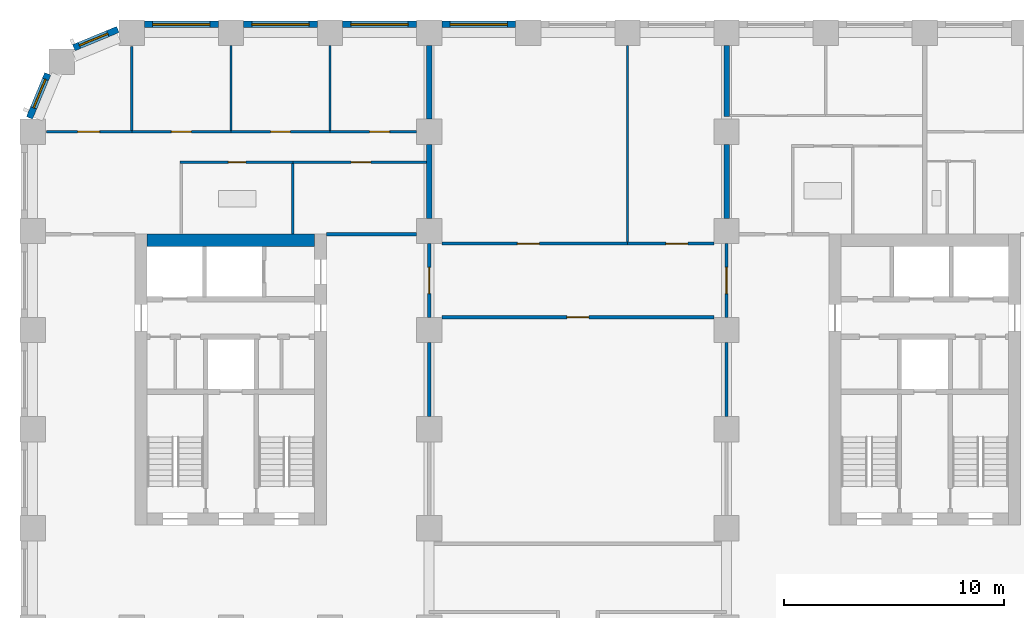
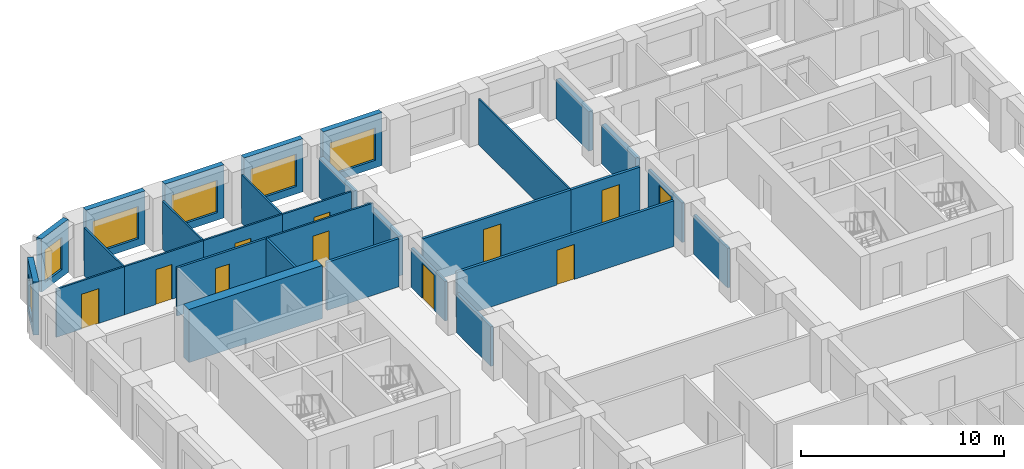
# One storey, part 7 of 12: 30 walls, 11 doors, 6 windows, 17 openings.
"""IFC4 building model written with IfcOpenShell, lengths in metres."""

import ifcopenshell
import ifcopenshell.guid

model = None  # the IFC model being written
_history = None  # IfcOwnerHistory: only IFC2X3 demands one
_inside = {}  # id of a spatial element -> (the spatial element, [elements in it])
_under = {}  # id of a project, library or spatial element -> (it, [spatial elements below it])
_declared = {}  # id of a project -> (the project, [libraries it declares])
_typed = {}  # id of a type object -> (the type object, [elements of that type])
_made_of = {}  # id of a material, layer set ... -> (it, [elements and type objects made of it])


def new_model(schema):
    """Start an empty IFC model of exactly this schema.

    Asked for "IFC4X3", IfcOpenShell would pick the latest addendum, in which some entities
    have other attributes; the version numbers below select the first issue.
    IFC2X3 requires an IfcOwnerHistory on every rooted entity: one is made here for all.
    """
    global model, _history
    if schema == "IFC4X3":
        model = ifcopenshell.file(schema_version=(4, 3, 0, 0))
    else:
        model = ifcopenshell.file(schema=schema)
    _inside.clear()
    _under.clear()
    _declared.clear()
    _typed.clear()
    _made_of.clear()
    _history = None
    if model.schema == "IFC2X3":
        org = make("IfcOrganization", Name="unknown")
        user = make(
            "IfcPersonAndOrganization",
            ThePerson=make("IfcPerson", FamilyName="unknown"),
            TheOrganization=org,
        )
        app = make(
            "IfcApplication",
            ApplicationDeveloper=org,
            Version="unknown",
            ApplicationFullName="unknown",
            ApplicationIdentifier="unknown",
        )
        _history = make(
            "IfcOwnerHistory",
            OwningUser=user,
            OwningApplication=app,
            ChangeAction="ADDED",
            CreationDate=0,
        )
    return model


def make(cls, **values):
    """One entity of the class cls with the attributes given. An attribute that is None is left unset."""
    return model.create_entity(
        cls, **{name: value for name, value in values.items() if value is not None}
    )


def rooted(cls, **values):
    """An entity with a GlobalId (a new one), such as an element, a storey or a relation."""
    return make(cls, GlobalId=ifcopenshell.guid.new(), OwnerHistory=_history, **values)


def si_unit(unit_type, name, prefix=None):
    """IfcSIUnit, for example si_unit("LENGTHUNIT", "METRE", prefix="MILLI")."""
    return make("IfcSIUnit", UnitType=unit_type, Prefix=prefix, Name=name)


def assignment(units):
    """IfcUnitAssignment: the units of a project."""
    return None if units is None else make("IfcUnitAssignment", Units=units)


def point(xyz):
    """IfcCartesianPoint."""
    return None if xyz is None else make("IfcCartesianPoint", Coordinates=xyz)


def direction(xyz):
    """IfcDirection."""
    return None if xyz is None else make("IfcDirection", DirectionRatios=xyz)


def frame(location, z_axis=None, x_axis=None):
    """IfcAxis2Placement3D, a coordinate frame: its origin and axes. An axis left out is left unset."""
    return make(
        "IfcAxis2Placement3D",
        Location=point(location),
        Axis=direction(z_axis),
        RefDirection=direction(x_axis),
    )


def frame_2d(location, x_axis=None):
    """IfcAxis2Placement2D, a coordinate frame in the plane: its origin and x axis."""
    return make(
        "IfcAxis2Placement2D", Location=point(location), RefDirection=direction(x_axis)
    )


def origin():
    """The frame at (0, 0, 0) with its axes left unset."""
    return frame((0.0, 0.0, 0.0))


def place(relative_to, where):
    """IfcLocalPlacement: puts the frame where relative to a parent placement (None: the world)."""
    return make(
        "IfcLocalPlacement", PlacementRelTo=relative_to, RelativePlacement=where
    )


def context(
    kind, dimensions, precision=None, world=None, true_north=None, identifier=None
):
    """IfcGeometricRepresentationContext, for example the 3D "Model" context."""
    return make(
        "IfcGeometricRepresentationContext",
        ContextIdentifier=identifier,
        ContextType=kind,
        CoordinateSpaceDimension=dimensions,
        Precision=precision,
        WorldCoordinateSystem=world,
        TrueNorth=true_north,
    )


def subcontext(parent, identifier, kind, view, scale=None):
    """IfcGeometricRepresentationSubContext, for example "Body" below "Model"."""
    return make(
        "IfcGeometricRepresentationSubContext",
        ContextIdentifier=identifier,
        ContextType=kind,
        ParentContext=parent,
        TargetScale=scale,
        TargetView=view,
    )


def project(units=None, contexts=None):
    """IfcProject with its units and contexts."""
    return rooted(
        "IfcProject",
        Name="project",
        RepresentationContexts=contexts,
        UnitsInContext=assignment(units),
    )


def spatial(cls, under=None, at=None, **own):
    """A site, building, storey or space (cls), placed at a placement, below another one or the project."""
    s = rooted(cls, ObjectPlacement=at, **own)
    if under is not None:
        _under.setdefault(under.id(), (under, []))[1].append(s)
    return s


def profile(cls, at=None, kind="AREA", **sizes):
    """A parametric profile (cls). Its sizes go by their IFC names, for example OverallWidth=200.0."""
    return make(cls, ProfileType=kind, Position=at, **sizes)


def rectangle(**sizes):
    """IfcRectangleProfileDef."""
    return profile("IfcRectangleProfileDef", **sizes)


def extrude(swept, where, along, depth):
    """IfcExtrudedAreaSolid: the profile swept, set in the frame where, extruded along a direction by depth."""
    return make(
        "IfcExtrudedAreaSolid",
        SweptArea=swept,
        Position=where,
        ExtrudedDirection=direction(along),
        Depth=depth,
    )


def shape(context_of_items, identifier, shape_type, items):
    """IfcShapeRepresentation: the items that make up one representation, for example the "Body"."""
    return make(
        "IfcShapeRepresentation",
        ContextOfItems=context_of_items,
        RepresentationIdentifier=identifier,
        RepresentationType=shape_type,
        Items=items,
    )


def material(Name=None, Category=None):
    """IfcMaterial."""
    return make("IfcMaterial", Name=Name, Category=Category)


def layer(
    of_material, thickness, ventilated=None, Name=None, Category=None, Priority=None
):
    """IfcMaterialLayer: one layer of a wall or slab, of a material (None: an air gap)."""
    return make(
        "IfcMaterialLayer",
        Material=of_material,
        LayerThickness=thickness,
        IsVentilated=ventilated,
        Name=Name,
        Category=Category,
        Priority=Priority,
    )


def layer_set(layers, Name=None):
    """IfcMaterialLayerSet."""
    return make("IfcMaterialLayerSet", MaterialLayers=layers, LayerSetName=Name)


def made_of(thing, what):
    """Note that an element or type object is made of a material, layer set ...; save() writes the relation."""
    if what is not None:
        _made_of.setdefault(what.id(), (what, []))[1].append(thing)
    return thing


def type_object(cls, material=None, **own):
    """A type object (cls), such as IfcWallType, which elements share."""
    return made_of(rooted(cls, **own), material)


def element(
    cls,
    number,
    at=None,
    inside=None,
    cuts=None,
    type_object=None,
    material=None,
    context=None,
    identifier="Body",
    shape_type=None,
    held_by="IfcProductDefinitionShape",
    body=None,
    shapes=None,
    **own,
):
    """One element of the class cls, such as IfcWall. Its Tag is "e" and its number.

    at: its placement. inside: the storey or other place that contains it. cuts: it is an
    opening in that element (IfcRelVoidsElement). A single representation is given by context,
    identifier, shape_type and body (its items); several are given by shapes. held_by: the class
    of the entity that holds the representations. save() writes the other relations.
    """
    e = rooted(cls, Tag="e%d" % number, ObjectPlacement=at, **own)
    if body is not None:
        shapes = [shape(context, identifier, shape_type, body)]
    if shapes is not None:
        e.Representation = make(held_by, Representations=shapes)
    if inside is not None:
        _inside.setdefault(inside.id(), (inside, []))[1].append(e)
    if cuts is not None:
        rooted(
            "IfcRelVoidsElement", RelatingBuildingElement=cuts, RelatedOpeningElement=e
        )
    if type_object is not None:
        _typed.setdefault(type_object.id(), (type_object, []))[1].append(e)
    return made_of(e, material)


def fill(opening, filler):
    """IfcRelFillsElement: the door or window that sits in an opening."""
    return rooted(
        "IfcRelFillsElement",
        RelatingOpeningElement=opening,
        RelatedBuildingElement=filler,
    )


def aggregate(whole, parts):
    """IfcRelAggregates: a whole, such as a stair, and the parts it consists of."""
    return rooted("IfcRelAggregates", RelatingObject=whole, RelatedObjects=parts)


def save(model, path):
    """Write the relations noted so far, then the file.

    IfcRelAggregates (storeys below a building ...), IfcRelContainedInSpatialStructure (elements
    in a storey), IfcRelDefinesByType, IfcRelAssociatesMaterial and IfcRelDeclares: one each for
    every whole, place, type object, material and project.
    """
    for whole, parts in _under.values():
        aggregate(whole, parts)
    for where, things in _inside.values():
        rooted(
            "IfcRelContainedInSpatialStructure",
            RelatedElements=things,
            RelatingStructure=where,
        )
    for kind, things in _typed.values():
        rooted("IfcRelDefinesByType", RelatedObjects=things, RelatingType=kind)
    for what, things in _made_of.values():
        rooted("IfcRelAssociatesMaterial", RelatedObjects=things, RelatingMaterial=what)
    for by, libraries in _declared.values():
        rooted("IfcRelDeclares", RelatingContext=by, RelatedDefinitions=libraries)
    model.write(path)


model = new_model("IFC4")

# Units and contexts
model_context = context("Model", 3, precision=1e-05, world=origin(), true_north=direction((0.0, 1.0)))
body_context = subcontext(model_context, "Body", "Model", "MODEL_VIEW")
ifc_project = project(units=[si_unit("LENGTHUNIT", "METRE"), si_unit("AREAUNIT", "SQUARE_METRE"), si_unit("VOLUMEUNIT", "CUBIC_METRE"), si_unit("PLANEANGLEUNIT", "RADIAN"), si_unit("MASSUNIT", "GRAM", prefix="KILO")], contexts=[model_context])

# Site, building, storey
site_placement = place(None, origin())
site = spatial("IfcSite", under=ifc_project, at=site_placement, CompositionType="ELEMENT")
building_placement = place(site_placement, origin())
building = spatial("IfcBuilding", under=site, at=building_placement, Name="Girih Gate Residences", CompositionType="ELEMENT")
storey_placement = place(building_placement, frame((0.0, 0.0, 108.800048828125)))
storey = spatial("IfcBuildingStorey", under=building, at=storey_placement, Name="L30", CompositionType="ELEMENT", Elevation=108.800048828125)

# Walls
ifc_material_1 = material(Name="Gypsum board on steel studs", Category="steel")
ifc_layer_1 = layer(ifc_material_1, 0.25)
ifc_layer_set_1 = layer_set([ifc_layer_1], Name="Acoustic separating wall 250 mm")
wall_type_1 = type_object("IfcWallType", Name="Acoustic separating wall 250 mm", PredefinedType="PARTITIONING", material=ifc_layer_set_1)
for number, where, z_axis, x_axis, name in (
    (1, (18.0, 45.574951171875, 0.0), (0.0, 0.0, 1.0), (0.0, 1.0, 0.0), "L30 partition"),
    (2, (18.0, 41.074951171875, 0.0), (0.0, 0.0, 1.0), (0.0, 1.0, 0.0), "L30 partition"),
    (3, (31.5, 41.074951171875, 0.0), (0.0, 0.0, 1.0), (0.0, 1.0, 0.0), "L30 partition"),
):
    element("IfcWall", number, at=place(storey_placement, frame(where, z_axis=z_axis, x_axis=x_axis)), inside=storey, type_object=wall_type_1, Name=name, PredefinedType="PARTITIONING", context=body_context, shape_type="SweptSolid", body=[
        extrude(rectangle(XDim=3.35009765625, YDim=0.25, at=frame_2d((1.675048828125, 0.0))), origin(), (0.0, 0.0, 1.0), 2.3798828125),
    ])
wall_1_placement = place(storey_placement, frame((31.5, 45.68505859375, 0.0), z_axis=(0.0, 0.0, 1.0), x_axis=(0.0, 1.0, 0.0)))
element("IfcWall", 4, at=wall_1_placement, inside=storey, type_object=wall_type_1, Name="L30 partition", PredefinedType="PARTITIONING", context=body_context, shape_type="SweptSolid", body=[
    extrude(rectangle(XDim=3.239990234375, YDim=0.25, at=frame_2d((1.6201171875, 0.0))), origin(), (0.0, 0.0, 1.0), 2.3798828125),
])
ifc_layer_2 = layer(ifc_material_1, 0.14990234375)
ifc_layer_set_2 = layer_set([ifc_layer_2], Name="Compartment wall 150 mm")
wall_type_2 = type_object("IfcWallType", Name="Compartment wall 150 mm", PredefinedType="PARTITIONING", material=ifc_layer_set_2)
wall_2_placement = place(storey_placement, frame((13.35009765625, 40.35009765625, 0.0), z_axis=(0.0, 0.0, 1.0), x_axis=(1.0, 0.0, 0.0)))
element("IfcWall", 5, at=wall_2_placement, inside=storey, type_object=wall_type_2, Name="L30 partition", PredefinedType="PARTITIONING", context=body_context, shape_type="SweptSolid", body=[
    extrude(rectangle(XDim=4.074951171875, YDim=0.14990234375, at=frame_2d((2.03759765625, 0.0))), origin(), (0.0, 0.0, 1.0), 2.89990234375),
])

# Wall, opening, door
wall_3_placement = place(storey_placement, frame((18.574951171875, 39.925048828125, 0.0), z_axis=(0.0, 0.0, 1.0), x_axis=(1.0, 0.0, 0.0)))
wall_3 = element("IfcWall", 6, at=wall_3_placement, inside=storey, type_object=wall_type_2, Name="L30 partition", PredefinedType="PARTITIONING", context=body_context, shape_type="SweptSolid", body=[
    extrude(rectangle(XDim=8.425048828125, YDim=0.14990234375, at=frame_2d((4.21240234375, 0.0))), origin(), (0.0, 0.0, 1.0), 2.75),
])
opening_1_placement = place(wall_3_placement, frame((3.425048828125, 0.0, 0.0)))
opening_1 = element("IfcOpeningElement", 7, at=opening_1_placement, cuts=wall_3, Name="Opening A30-039", PredefinedType="OPENING", context=body_context, shape_type="SweptSolid", body=[
    extrude(rectangle(XDim=1.0, YDim=2.10009765625, at=frame_2d((0.5, 1.050048828125))), frame((0.0, 0.0849609375, 0.0), z_axis=(0.0, -1.0, 0.0), x_axis=(1.0, 0.0, 0.0)), (0.0, 0.0, 1.0), 0.169921875),
])
ifc_material_2 = material(Name="Timber, fire-rated core", Category="wood")
door_type_1 = type_object("IfcDoorType", Name="Amenity room door 1000x2100 FD30S", OperationType="NOTDEFINED", PredefinedType="DOOR", material=ifc_material_2)
door_1_placement = place(opening_1_placement, origin())
door_1 = element("IfcDoor", 8, at=door_1_placement, inside=storey, type_object=door_type_1, Name="Door A30-039", OperationType="SINGLE_SWING_LEFT", OverallHeight=2.10009765625, OverallWidth=1.0, PredefinedType="DOOR", context=body_context, shape_type="SweptSolid", body=[
    extrude(rectangle(XDim=1.0, YDim=2.10009765625, at=frame_2d((0.5, 1.050048828125))), frame((0.0, 0.02490234375, 0.0), z_axis=(0.0, -1.0, 0.0), x_axis=(1.0, 0.0, 0.0)), (0.0, 0.0, 1.0), 0.050048828125),
])
fill(opening_1, door_1)

wall_4_placement = place(storey_placement, frame((27.0, 39.925048828125, 0.0), z_axis=(0.0, 0.0, 1.0), x_axis=(1.0, 0.0, 0.0)))
wall_4 = element("IfcWall", 9, at=wall_4_placement, inside=storey, type_object=wall_type_2, Name="L30 partition", PredefinedType="PARTITIONING", context=body_context, shape_type="SweptSolid", body=[
    extrude(rectangle(XDim=3.925048828125, YDim=0.14990234375, at=frame_2d((1.96240234375, 0.0))), origin(), (0.0, 0.0, 1.0), 2.75),
])
opening_2_placement = place(wall_4_placement, frame((1.75, 0.0, 0.0)))
opening_2 = element("IfcOpeningElement", 10, at=opening_2_placement, cuts=wall_4, Name="Opening A30-040", PredefinedType="OPENING", context=body_context, shape_type="SweptSolid", body=[
    extrude(rectangle(XDim=1.0, YDim=2.10009765625, at=frame_2d((0.5, 1.050048828125))), frame((0.0, 0.0849609375, 0.0), z_axis=(0.0, -1.0, 0.0), x_axis=(1.0, 0.0, 0.0)), (0.0, 0.0, 1.0), 0.169921875),
])
door_2_placement = place(opening_2_placement, origin())
door_2 = element("IfcDoor", 11, at=door_2_placement, inside=storey, type_object=door_type_1, Name="Door A30-040", OperationType="SINGLE_SWING_RIGHT", OverallHeight=2.10009765625, OverallWidth=1.0, PredefinedType="DOOR", context=body_context, shape_type="SweptSolid", body=[
    extrude(rectangle(XDim=1.0, YDim=2.10009765625, at=frame_2d((0.5, 1.050048828125))), frame((0.0, 0.02490234375, 0.0), z_axis=(0.0, -1.0, 0.0), x_axis=(1.0, 0.0, 0.0)), (0.0, 0.0, 1.0), 0.050048828125),
])
fill(opening_2, door_2)

wall_5_placement = place(storey_placement, frame((30.925048828125, 36.574951171875, 0.0), z_axis=(0.0, 0.0, 1.0), x_axis=(-1.0, 0.0, 0.0)))
wall_5 = element("IfcWall", 12, at=wall_5_placement, inside=storey, type_object=wall_type_2, Name="L30 partition", PredefinedType="PARTITIONING", context=body_context, shape_type="SweptSolid", body=[
    extrude(rectangle(XDim=12.35009765625, YDim=0.14990234375, at=frame_2d((6.175048828125, 0.0))), origin(), (0.0, 0.0, 1.0), 2.75),
])
opening_3_placement = place(wall_5_placement, frame((5.675048828125, 0.0, 0.0)))
opening_3 = element("IfcOpeningElement", 13, at=opening_3_placement, cuts=wall_5, Name="Opening A30-041", PredefinedType="OPENING", context=body_context, shape_type="SweptSolid", body=[
    extrude(rectangle(XDim=1.0, YDim=2.10009765625, at=frame_2d((0.5, 1.050048828125))), frame((0.0, 0.0849609375, 0.0), z_axis=(0.0, -1.0, 0.0), x_axis=(1.0, 0.0, 0.0)), (0.0, 0.0, 1.0), 0.169921875),
])
door_3_placement = place(opening_3_placement, origin())
door_3 = element("IfcDoor", 14, at=door_3_placement, inside=storey, type_object=door_type_1, Name="Door A30-041", OperationType="SINGLE_SWING_RIGHT", OverallHeight=2.10009765625, OverallWidth=1.0, PredefinedType="DOOR", context=body_context, shape_type="SweptSolid", body=[
    extrude(rectangle(XDim=1.0, YDim=2.10009765625, at=frame_2d((0.5, 1.050048828125))), frame((0.0, 0.02490234375, 0.0), z_axis=(0.0, -1.0, 0.0), x_axis=(1.0, 0.0, 0.0)), (0.0, 0.0, 1.0), 0.050048828125),
])
fill(opening_3, door_3)

wall_6_placement = place(storey_placement, frame((31.5, 36.574951171875, 0.0), z_axis=(0.0, 0.0, 1.0), x_axis=(0.0, 1.0, 0.0)))
wall_6 = element("IfcWall", 15, at=wall_6_placement, inside=storey, type_object=wall_type_2, Name="L30 partition", PredefinedType="PARTITIONING", context=body_context, shape_type="SweptSolid", body=[
    extrude(rectangle(XDim=3.35009765625, YDim=0.14990234375, at=frame_2d((1.675048828125, 0.0))), origin(), (0.0, 0.0, 1.0), 2.3798828125),
])
opening_4_placement = place(wall_6_placement, frame((1.074951171875, 0.0, 0.0)))
opening_4 = element("IfcOpeningElement", 16, at=opening_4_placement, cuts=wall_6, Name="Opening A30-042", PredefinedType="OPENING", context=body_context, shape_type="SweptSolid", body=[
    extrude(rectangle(XDim=1.199951171875, YDim=2.10009765625, at=frame_2d((0.60009765625, 1.050048828125))), frame((0.0, 0.0849609375, 0.0), z_axis=(0.0, -1.0, 0.0), x_axis=(1.0, 0.0, 0.0)), (0.0, 0.0, 1.0), 0.169921875),
])
door_type_2 = type_object("IfcDoorType", Name="Corridor fire door 1200x2100 FD30S", OperationType="NOTDEFINED", PredefinedType="DOOR", material=ifc_material_2)
door_4_placement = place(opening_4_placement, origin())
door_4 = element("IfcDoor", 17, at=door_4_placement, inside=storey, type_object=door_type_2, Name="Door A30-042", OperationType="SINGLE_SWING_LEFT", OverallHeight=2.10009765625, OverallWidth=1.199951171875, PredefinedType="DOOR", context=body_context, shape_type="SweptSolid", body=[
    extrude(rectangle(XDim=1.199951171875, YDim=2.10009765625, at=frame_2d((0.60009765625, 1.050048828125))), frame((0.0, 0.02490234375, 0.0), z_axis=(0.0, -1.0, 0.0), x_axis=(1.0, 0.0, 0.0)), (0.0, 0.0, 1.0), 0.050048828125),
])
fill(opening_4, door_4)

wall_7_placement = place(storey_placement, frame((18.0, 39.925048828125, 0.0), z_axis=(0.0, 0.0, 1.0), x_axis=(0.0, -1.0, 0.0)))
wall_7 = element("IfcWall", 18, at=wall_7_placement, inside=storey, type_object=wall_type_2, Name="L30 partition", PredefinedType="PARTITIONING", context=body_context, shape_type="SweptSolid", body=[
    extrude(rectangle(XDim=3.35009765625, YDim=0.14990234375, at=frame_2d((1.675048828125, 0.0))), origin(), (0.0, 0.0, 1.0), 2.3798828125),
])
opening_5_placement = place(wall_7_placement, frame((1.074951171875, 0.0, 0.0)))
opening_5 = element("IfcOpeningElement", 19, at=opening_5_placement, cuts=wall_7, Name="Opening A30-043", PredefinedType="OPENING", context=body_context, shape_type="SweptSolid", body=[
    extrude(rectangle(XDim=1.199951171875, YDim=2.10009765625, at=frame_2d((0.60009765625, 1.050048828125))), frame((0.0, 0.0849609375, 0.0), z_axis=(0.0, -1.0, 0.0), x_axis=(1.0, 0.0, 0.0)), (0.0, 0.0, 1.0), 0.169921875),
])
door_5_placement = place(opening_5_placement, origin())
door_5 = element("IfcDoor", 20, at=door_5_placement, inside=storey, type_object=door_type_2, Name="Door A30-043", OperationType="SINGLE_SWING_LEFT", OverallHeight=2.10009765625, OverallWidth=1.199951171875, PredefinedType="DOOR", context=body_context, shape_type="SweptSolid", body=[
    extrude(rectangle(XDim=1.199951171875, YDim=2.10009765625, at=frame_2d((0.60009765625, 1.050048828125))), frame((0.0, 0.02490234375, 0.0), z_axis=(0.0, -1.0, 0.0), x_axis=(1.0, 0.0, 0.0)), (0.0, 0.0, 1.0), 0.050048828125),
])
fill(opening_5, door_5)

# Walls
for number, where, z_axis, x_axis, name in (
    (21, (31.5, 32.074951171875, 0.0), (0.0, 0.0, 1.0), (0.0, 1.0, 0.0), "L30 partition"),
    (22, (18.0, 32.074951171875, 0.0), (0.0, 0.0, 1.0), (0.0, 1.0, 0.0), "L30 partition"),
):
    element("IfcWall", number, at=place(storey_placement, frame(where, z_axis=z_axis, x_axis=x_axis)), inside=storey, type_object=wall_type_2, Name=name, PredefinedType="PARTITIONING", context=body_context, shape_type="SweptSolid", body=[
        extrude(rectangle(XDim=3.35009765625, YDim=0.14990234375, at=frame_2d((1.675048828125, 0.0))), origin(), (0.0, 0.0, 1.0), 2.3798828125),
    ])
ifc_material_3 = material(Name="Concrete C60/75", Category="concrete")
ifc_layer_3 = layer(ifc_material_3, 0.550048828125)
ifc_layer_set_3 = layer_set([ifc_layer_3], Name="Core wall RC 550 Concrete C60/75")
wall_type_3 = type_object("IfcWallType", Name="Core wall RC 550 Concrete C60/75", PredefinedType="SOLIDWALL", material=ifc_layer_set_3)
wall_8_placement = place(storey_placement, frame((5.199951171875, 40.074951171875, 0.0), z_axis=(0.0, 0.0, 1.0), x_axis=(1.0, 0.0, 0.0)))
element("IfcWall", 23, at=wall_8_placement, inside=storey, type_object=wall_type_3, Name="Core wall W-N L30", PredefinedType="SOLIDWALL", context=body_context, shape_type="SweptSolid", body=[
    extrude(rectangle(XDim=7.60009765625, YDim=0.550048828125, at=frame_2d((3.800048828125, 0.0))), origin(), (0.0, 0.0, 1.0), 3.199951171875),
])
ifc_layer_4 = layer(ifc_material_1, 0.10009765625)
ifc_layer_set_4 = layer_set([ifc_layer_4], Name="Partition 100 mm")
wall_type_4 = type_object("IfcWallType", Name="Partition 100 mm", PredefinedType="PARTITIONING", material=ifc_layer_set_4)
wall_9_placement = place(storey_placement, frame((9.0, 45.050048828125, 0.0), z_axis=(0.0, 0.0, 1.0), x_axis=(0.0, 1.0, 0.0)))
element("IfcWall", 24, at=wall_9_placement, inside=storey, type_object=wall_type_4, Name="L30 partition", PredefinedType="PARTITIONING", context=body_context, shape_type="SweptSolid", body=[
    extrude(rectangle(XDim=3.875, YDim=0.10009765625, at=frame_2d((1.9375, 0.0))), origin(), (0.0, 0.0, 1.0), 2.89990234375),
])

# Wall, opening, door
wall_10_placement = place(storey_placement, frame((4.5, 45.0, 0.0), z_axis=(0.0, 0.0, 1.0), x_axis=(1.0, 0.0, 0.0)))
wall_10 = element("IfcWall", 25, at=wall_10_placement, inside=storey, type_object=wall_type_4, Name="L30 partition", PredefinedType="PARTITIONING", context=body_context, shape_type="SweptSolid", body=[
    extrude(rectangle(XDim=4.5, YDim=0.10009765625, at=frame_2d((2.25, 0.0))), origin(), (0.0, 0.0, 1.0), 2.89990234375),
])
opening_6_placement = place(wall_10_placement, frame((1.800048828125, 0.0, 0.0)))
opening_6 = element("IfcOpeningElement", 26, at=opening_6_placement, cuts=wall_10, Name="Opening A30-011", PredefinedType="OPENING", context=body_context, shape_type="SweptSolid", body=[
    extrude(rectangle(XDim=0.89990234375, YDim=2.10009765625, at=frame_2d((0.449951171875, 1.050048828125))), frame((0.0, 0.06005859375, 0.0), z_axis=(0.0, -1.0, 0.0), x_axis=(1.0, 0.0, 0.0)), (0.0, 0.0, 1.0), 0.1201171875),
])
ifc_material_4 = material(Name="Timber", Category="wood")
door_type_3 = type_object("IfcDoorType", Name="Bedroom door 900x2100", OperationType="NOTDEFINED", PredefinedType="DOOR", material=ifc_material_4)
door_6_placement = place(opening_6_placement, origin())
door_6 = element("IfcDoor", 27, at=door_6_placement, inside=storey, type_object=door_type_3, Name="Door A30-011", OperationType="SINGLE_SWING_RIGHT", OverallHeight=2.10009765625, OverallWidth=0.89990234375, PredefinedType="DOOR", context=body_context, shape_type="SweptSolid", body=[
    extrude(rectangle(XDim=0.89990234375, YDim=2.10009765625, at=frame_2d((0.449951171875, 1.050048828125))), frame((0.0, 0.02490234375, 0.0), z_axis=(0.0, -1.0, 0.0), x_axis=(1.0, 0.0, 0.0)), (0.0, 0.0, 1.0), 0.050048828125),
])
fill(opening_6, door_6)

# Walls
wall_11_placement = place(storey_placement, frame((4.5, 45.050048828125, 0.0), z_axis=(0.0, 0.0, 1.0), x_axis=(0.0, 1.0, 0.0)))
element("IfcWall", 28, at=wall_11_placement, inside=storey, type_object=wall_type_4, Name="L30 partition", PredefinedType="PARTITIONING", context=body_context, shape_type="SweptSolid", body=[
    extrude(rectangle(XDim=3.82763671875, YDim=0.10009765625, at=frame_2d((1.913818359375, 0.0))), origin(), (0.0, 0.0, 1.0), 2.89990234375),
])
wall_12_placement = place(storey_placement, frame((13.5, 45.050048828125, 0.0), z_axis=(0.0, 0.0, 1.0), x_axis=(0.0, 1.0, 0.0)))
element("IfcWall", 29, at=wall_12_placement, inside=storey, type_object=wall_type_4, Name="L30 partition", PredefinedType="PARTITIONING", context=body_context, shape_type="SweptSolid", body=[
    extrude(rectangle(XDim=3.875, YDim=0.10009765625, at=frame_2d((1.9375, 0.0))), origin(), (0.0, 0.0, 1.0), 2.89990234375),
])

# Wall, opening, door
wall_13_placement = place(storey_placement, frame((9.0, 45.0, 0.0), z_axis=(0.0, 0.0, 1.0), x_axis=(1.0, 0.0, 0.0)))
wall_13 = element("IfcWall", 30, at=wall_13_placement, inside=storey, type_object=wall_type_4, Name="L30 partition", PredefinedType="PARTITIONING", context=body_context, shape_type="SweptSolid", body=[
    extrude(rectangle(XDim=4.5, YDim=0.10009765625, at=frame_2d((2.25, 0.0))), origin(), (0.0, 0.0, 1.0), 2.89990234375),
])
opening_7_placement = place(wall_13_placement, frame((1.800048828125, 0.0, 0.0)))
opening_7 = element("IfcOpeningElement", 31, at=opening_7_placement, cuts=wall_13, Name="Opening A30-012", PredefinedType="OPENING", context=body_context, shape_type="SweptSolid", body=[
    extrude(rectangle(XDim=0.89990234375, YDim=2.10009765625, at=frame_2d((0.449951171875, 1.050048828125))), frame((0.0, 0.06005859375, 0.0), z_axis=(0.0, -1.0, 0.0), x_axis=(1.0, 0.0, 0.0)), (0.0, 0.0, 1.0), 0.1201171875),
])
door_7_placement = place(opening_7_placement, origin())
door_7 = element("IfcDoor", 32, at=door_7_placement, inside=storey, type_object=door_type_3, Name="Door A30-012", OperationType="SINGLE_SWING_LEFT", OverallHeight=2.10009765625, OverallWidth=0.89990234375, PredefinedType="DOOR", context=body_context, shape_type="SweptSolid", body=[
    extrude(rectangle(XDim=0.89990234375, YDim=2.10009765625, at=frame_2d((0.449951171875, 1.050048828125))), frame((0.0, 0.02490234375, 0.0), z_axis=(0.0, -1.0, 0.0), x_axis=(1.0, 0.0, 0.0)), (0.0, 0.0, 1.0), 0.050048828125),
])
fill(opening_7, door_7)

wall_14_placement = place(storey_placement, frame((13.5, 45.0, 0.0), z_axis=(0.0, 0.0, 1.0), x_axis=(1.0, 0.0, 0.0)))
wall_14 = element("IfcWall", 33, at=wall_14_placement, inside=storey, type_object=wall_type_4, Name="L30 partition", PredefinedType="PARTITIONING", context=body_context, shape_type="SweptSolid", body=[
    extrude(rectangle(XDim=3.925048828125, YDim=0.10009765625, at=frame_2d((1.96240234375, 0.0))), origin(), (0.0, 0.0, 1.0), 2.89990234375),
])
opening_8_placement = place(wall_14_placement, frame((1.800048828125, 0.0, 0.0)))
opening_8 = element("IfcOpeningElement", 34, at=opening_8_placement, cuts=wall_14, Name="Opening A30-013", PredefinedType="OPENING", context=body_context, shape_type="SweptSolid", body=[
    extrude(rectangle(XDim=0.89990234375, YDim=2.10009765625, at=frame_2d((0.449951171875, 1.050048828125))), frame((0.0, 0.06005859375, 0.0), z_axis=(0.0, -1.0, 0.0), x_axis=(1.0, 0.0, 0.0)), (0.0, 0.0, 1.0), 0.1201171875),
])
door_8_placement = place(opening_8_placement, origin())
door_8 = element("IfcDoor", 35, at=door_8_placement, inside=storey, type_object=door_type_3, Name="Door A30-013", OperationType="SINGLE_SWING_RIGHT", OverallHeight=2.10009765625, OverallWidth=0.89990234375, PredefinedType="DOOR", context=body_context, shape_type="SweptSolid", body=[
    extrude(rectangle(XDim=0.89990234375, YDim=2.10009765625, at=frame_2d((0.449951171875, 1.050048828125))), frame((0.0, 0.02490234375, 0.0), z_axis=(0.0, -1.0, 0.0), x_axis=(1.0, 0.0, 0.0)), (0.0, 0.0, 1.0), 0.050048828125),
])
fill(opening_8, door_8)

wall_15_placement = place(storey_placement, frame((17.875, 43.6201171875, 0.0), z_axis=(0.0, 0.0, 1.0), x_axis=(-1.0, 0.0, 0.0)))
wall_15 = element("IfcWall", 36, at=wall_15_placement, inside=storey, type_object=wall_type_4, Name="L30 partition", PredefinedType="PARTITIONING", context=body_context, shape_type="SweptSolid", body=[
    extrude(rectangle(XDim=6.064208984375, YDim=0.10009765625, at=frame_2d((3.0322265625, 0.0))), origin(), (0.0, 0.0, 1.0), 2.89990234375),
])
opening_9_placement = place(wall_15_placement, frame((2.51953125, 0.0, 0.0)))
opening_9 = element("IfcOpeningElement", 37, at=opening_9_placement, cuts=wall_15, Name="Opening A30-014", PredefinedType="OPENING", context=body_context, shape_type="SweptSolid", body=[
    extrude(rectangle(XDim=0.89990234375, YDim=2.10009765625, at=frame_2d((0.449951171875, 1.050048828125))), frame((0.0, 0.06005859375, 0.0), z_axis=(0.0, -1.0, 0.0), x_axis=(1.0, 0.0, 0.0)), (0.0, 0.0, 1.0), 0.1201171875),
])
door_type_4 = type_object("IfcDoorType", Name="Kitchen door 900x2100", OperationType="NOTDEFINED", PredefinedType="DOOR", material=ifc_material_4)
door_9_placement = place(opening_9_placement, origin())
door_9 = element("IfcDoor", 38, at=door_9_placement, inside=storey, type_object=door_type_4, Name="Door A30-014", OperationType="SINGLE_SWING_LEFT", OverallHeight=2.10009765625, OverallWidth=0.89990234375, PredefinedType="DOOR", context=body_context, shape_type="SweptSolid", body=[
    extrude(rectangle(XDim=0.89990234375, YDim=2.10009765625, at=frame_2d((0.449951171875, 1.050048828125))), frame((0.0, 0.02490234375, 0.0), z_axis=(0.0, -1.0, 0.0), x_axis=(1.0, 0.0, 0.0)), (0.0, 0.0, 1.0), 0.050048828125),
])
fill(opening_9, door_9)

wall_16_placement = place(storey_placement, frame((0.622314453125, 45.0, 0.0), z_axis=(0.0, 0.0, 1.0), x_axis=(1.0, 0.0, 0.0)))
wall_16 = element("IfcWall", 39, at=wall_16_placement, inside=storey, type_object=wall_type_4, Name="L30 partition", PredefinedType="PARTITIONING", context=body_context, shape_type="SweptSolid", body=[
    extrude(rectangle(XDim=3.877685546875, YDim=0.10009765625, at=frame_2d((1.93896484375, 0.0))), origin(), (0.0, 0.0, 1.0), 2.89990234375),
])
opening_10_placement = place(wall_16_placement, frame((1.4150390625, 0.0, 0.0)))
opening_10 = element("IfcOpeningElement", 40, at=opening_10_placement, cuts=wall_16, Name="Opening A30-015", PredefinedType="OPENING", context=body_context, shape_type="SweptSolid", body=[
    extrude(rectangle(XDim=1.0, YDim=2.10009765625, at=frame_2d((0.5, 1.050048828125))), frame((0.0, 0.06005859375, 0.0), z_axis=(0.0, -1.0, 0.0), x_axis=(1.0, 0.0, 0.0)), (0.0, 0.0, 1.0), 0.1201171875),
])
door_type_5 = type_object("IfcDoorType", Name="Living room door 1000x2100", OperationType="NOTDEFINED", PredefinedType="DOOR", material=ifc_material_4)
door_10_placement = place(opening_10_placement, origin())
door_10 = element("IfcDoor", 41, at=door_10_placement, inside=storey, type_object=door_type_5, Name="Door A30-015", OperationType="SINGLE_SWING_LEFT", OverallHeight=2.10009765625, OverallWidth=1.0, PredefinedType="DOOR", context=body_context, shape_type="SweptSolid", body=[
    extrude(rectangle(XDim=1.0, YDim=2.10009765625, at=frame_2d((0.5, 1.050048828125))), frame((0.0, 0.02490234375, 0.0), z_axis=(0.0, -1.0, 0.0), x_axis=(1.0, 0.0, 0.0)), (0.0, 0.0, 1.0), 0.050048828125),
])
fill(opening_10, door_10)

# Wall
wall_17_placement = place(storey_placement, frame((27.0, 40.0, 0.0), z_axis=(0.0, 0.0, 1.0), x_axis=(0.0, 1.0, 0.0)))
element("IfcWall", 42, at=wall_17_placement, inside=storey, type_object=wall_type_4, Name="L30 partition", PredefinedType="PARTITIONING", context=body_context, shape_type="SweptSolid", body=[
    extrude(rectangle(XDim=8.925048828125, YDim=0.10009765625, at=frame_2d((4.46240234375, 0.0))), origin(), (0.0, 0.0, 1.0), 2.75),
])

# Wall, opening, window
ifc_material_5 = material(Name="Precast concrete C50/60", Category="concrete")
ifc_layer_5 = layer(ifc_material_5, 0.080078125, Name="Outer leaf")
ifc_material_6 = material(Name="Rigid PIR insulation")
ifc_layer_6 = layer(ifc_material_6, 0.14990234375, Name="Insulation")
ifc_material_7 = material(Name="Precast concrete C40/50", Category="concrete")
ifc_layer_7 = layer(ifc_material_7, 0.070068359375, Name="Inner leaf")
ifc_layer_set_5 = layer_set([ifc_layer_5, ifc_layer_6, ifc_layer_7], Name="Precast concrete C50/60 external wall 300")
wall_type_5 = type_object("IfcWallType", Name="Precast concrete C50/60 external wall 300", PredefinedType="SOLIDWALL", material=ifc_layer_set_5)
wall_18_placement = place(storey_placement, frame((18.574951171875, 49.875, 0.0), z_axis=(0.0, 0.0, 1.0), x_axis=(1.0, 0.0, 0.0)))
wall_18 = element("IfcWall", 43, at=wall_18_placement, inside=storey, type_object=wall_type_5, Name="External wall N0450_0495.5", PredefinedType="SOLIDWALL", context=body_context, shape_type="SweptSolid", body=[
    extrude(rectangle(XDim=3.35009765625, YDim=0.300048828125, at=frame_2d((1.675048828125, 0.0))), origin(), (0.0, 0.0, 1.0), 3.199951171875),
])
opening_11_placement = place(wall_18_placement, frame((0.375, 0.0, 0.449951171875)))
opening_11 = element("IfcOpeningElement", 44, at=opening_11_placement, cuts=wall_18, Name="Opening W-1A", PredefinedType="OPENING", context=body_context, shape_type="SweptSolid", body=[
    extrude(rectangle(XDim=2.60009765625, YDim=1.949951171875, at=frame_2d((1.300048828125, 0.97509765625))), frame((0.0, 0.159912109375, 0.0), z_axis=(0.0, -1.0, 0.0), x_axis=(1.0, 0.0, 0.0)), (0.0, 0.0, 1.0), 0.320068359375),
])
ifc_material_8 = material(Name="Double glazing in aluminium frame", Category="aluminium")
window_type_1 = type_object("IfcWindowType", Name="Window W-1A 2600x1950", PartitioningType="SINGLE_PANEL", PredefinedType="WINDOW", material=ifc_material_8)
window_1_placement = place(opening_11_placement, origin())
window_1 = element("IfcWindow", 45, at=window_1_placement, inside=storey, type_object=window_type_1, Name="Window W-1A N0450_0495.5", OverallHeight=1.949951171875, OverallWidth=2.60009765625, PartitioningType="SINGLE_PANEL", PredefinedType="WINDOW", context=body_context, shape_type="SweptSolid", body=[
    extrude(rectangle(XDim=2.60009765625, YDim=1.949951171875, at=frame_2d((1.300048828125, 0.97509765625))), frame((0.0, 0.030029296875, 0.0), z_axis=(0.0, -1.0, 0.0), x_axis=(1.0, 0.0, 0.0)), (0.0, 0.0, 1.0), 0.06005859375),
])
fill(opening_11, window_1)

wall_19_placement = place(storey_placement, frame((14.074951171875, 49.875, 0.0), z_axis=(0.0, 0.0, 1.0), x_axis=(1.0, 0.0, 0.0)))
wall_19 = element("IfcWall", 46, at=wall_19_placement, inside=storey, type_object=wall_type_5, Name="External wall N0450_0495.6", PredefinedType="SOLIDWALL", context=body_context, shape_type="SweptSolid", body=[
    extrude(rectangle(XDim=3.35009765625, YDim=0.300048828125, at=frame_2d((1.675048828125, 0.0))), origin(), (0.0, 0.0, 1.0), 3.199951171875),
])
opening_12_placement = place(wall_19_placement, frame((0.375, 0.0, 0.449951171875)))
opening_12 = element("IfcOpeningElement", 47, at=opening_12_placement, cuts=wall_19, Name="Opening W-1A", PredefinedType="OPENING", context=body_context, shape_type="SweptSolid", body=[
    extrude(rectangle(XDim=2.60009765625, YDim=1.949951171875, at=frame_2d((1.300048828125, 0.97509765625))), frame((0.0, 0.159912109375, 0.0), z_axis=(0.0, -1.0, 0.0), x_axis=(1.0, 0.0, 0.0)), (0.0, 0.0, 1.0), 0.320068359375),
])
window_2_placement = place(opening_12_placement, origin())
window_2 = element("IfcWindow", 48, at=window_2_placement, inside=storey, type_object=window_type_1, Name="Window W-1A N0450_0495.6", OverallHeight=1.949951171875, OverallWidth=2.60009765625, PartitioningType="SINGLE_PANEL", PredefinedType="WINDOW", context=body_context, shape_type="SweptSolid", body=[
    extrude(rectangle(XDim=2.60009765625, YDim=1.949951171875, at=frame_2d((1.300048828125, 0.97509765625))), frame((0.0, 0.030029296875, 0.0), z_axis=(0.0, -1.0, 0.0), x_axis=(1.0, 0.0, 0.0)), (0.0, 0.0, 1.0), 0.06005859375),
])
fill(opening_12, window_2)

wall_20_placement = place(storey_placement, frame((9.574951171875, 49.875, 0.0), z_axis=(0.0, 0.0, 1.0), x_axis=(1.0, 0.0, 0.0)))
wall_20 = element("IfcWall", 49, at=wall_20_placement, inside=storey, type_object=wall_type_5, Name="External wall N0450_0495.7", PredefinedType="SOLIDWALL", context=body_context, shape_type="SweptSolid", body=[
    extrude(rectangle(XDim=3.35009765625, YDim=0.300048828125, at=frame_2d((1.675048828125, 0.0))), origin(), (0.0, 0.0, 1.0), 3.199951171875),
])
opening_13_placement = place(wall_20_placement, frame((0.375, 0.0, 0.449951171875)))
opening_13 = element("IfcOpeningElement", 50, at=opening_13_placement, cuts=wall_20, Name="Opening W-1A", PredefinedType="OPENING", context=body_context, shape_type="SweptSolid", body=[
    extrude(rectangle(XDim=2.60009765625, YDim=1.949951171875, at=frame_2d((1.300048828125, 0.97509765625))), frame((0.0, 0.159912109375, 0.0), z_axis=(0.0, -1.0, 0.0), x_axis=(1.0, 0.0, 0.0)), (0.0, 0.0, 1.0), 0.320068359375),
])
window_3_placement = place(opening_13_placement, origin())
window_3 = element("IfcWindow", 51, at=window_3_placement, inside=storey, type_object=window_type_1, Name="Window W-1A N0450_0495.7", OverallHeight=1.949951171875, OverallWidth=2.60009765625, PartitioningType="SINGLE_PANEL", PredefinedType="WINDOW", context=body_context, shape_type="SweptSolid", body=[
    extrude(rectangle(XDim=2.60009765625, YDim=1.949951171875, at=frame_2d((1.300048828125, 0.97509765625))), frame((0.0, 0.030029296875, 0.0), z_axis=(0.0, -1.0, 0.0), x_axis=(1.0, 0.0, 0.0)), (0.0, 0.0, 1.0), 0.06005859375),
])
fill(opening_13, window_3)

wall_21_placement = place(storey_placement, frame((5.074951171875, 49.875, 0.0), z_axis=(0.0, 0.0, 1.0), x_axis=(1.0, 0.0, 0.0)))
wall_21 = element("IfcWall", 52, at=wall_21_placement, inside=storey, type_object=wall_type_5, Name="External wall N0450_0495.8", PredefinedType="SOLIDWALL", context=body_context, shape_type="SweptSolid", body=[
    extrude(rectangle(XDim=3.35009765625, YDim=0.300048828125, at=frame_2d((1.675048828125, 0.0))), origin(), (0.0, 0.0, 1.0), 3.199951171875),
])
opening_14_placement = place(wall_21_placement, frame((0.375, 0.0, 0.449951171875)))
opening_14 = element("IfcOpeningElement", 53, at=opening_14_placement, cuts=wall_21, Name="Opening W-1A", PredefinedType="OPENING", context=body_context, shape_type="SweptSolid", body=[
    extrude(rectangle(XDim=2.60009765625, YDim=1.949951171875, at=frame_2d((1.300048828125, 0.97509765625))), frame((0.0, 0.159912109375, 0.0), z_axis=(0.0, -1.0, 0.0), x_axis=(1.0, 0.0, 0.0)), (0.0, 0.0, 1.0), 0.320068359375),
])
window_4_placement = place(opening_14_placement, origin())
window_4 = element("IfcWindow", 54, at=window_4_placement, inside=storey, type_object=window_type_1, Name="Window W-1A N0450_0495.8", OverallHeight=1.949951171875, OverallWidth=2.60009765625, PartitioningType="SINGLE_PANEL", PredefinedType="WINDOW", context=body_context, shape_type="SweptSolid", body=[
    extrude(rectangle(XDim=2.60009765625, YDim=1.949951171875, at=frame_2d((1.300048828125, 0.97509765625))), frame((0.0, 0.030029296875, 0.0), z_axis=(0.0, -1.0, 0.0), x_axis=(1.0, 0.0, 0.0)), (0.0, 0.0, 1.0), 0.06005859375),
])
fill(opening_14, window_4)

wall_22_placement = place(storey_placement, frame((1.86865234375, 48.81591796875, 0.0), z_axis=(0.0, 0.0, 1.0), x_axis=(0.923862802911, 0.382723818695, 0.0)))
wall_22 = element("IfcWall", 55, at=wall_22_placement, inside=storey, type_object=wall_type_5, Name="External wall NW0045_0495.0", PredefinedType="SOLIDWALL", context=body_context, shape_type="SweptSolid", body=[
    extrude(rectangle(XDim=2.163818359375, YDim=0.300048828125, at=frame_2d((1.08203125, 0.0))), origin(), (0.0, 0.0, 1.0), 3.199951171875),
])
opening_15_placement = place(wall_22_placement, frame((0.270751953125, 0.0, 0.449951171875)))
opening_15 = element("IfcOpeningElement", 56, at=opening_15_placement, cuts=wall_22, Name="Opening W-2D", PredefinedType="OPENING", context=body_context, shape_type="SweptSolid", body=[
    extrude(rectangle(XDim=1.39990234375, YDim=1.949951171875, at=frame_2d((0.699951171875, 0.97509765625))), frame((0.0, 0.159912109375, 0.0), z_axis=(0.0, -1.0, 0.0), x_axis=(1.0, 0.0, 0.0)), (0.0, 0.0, 1.0), 0.320068359375),
])
window_type_2 = type_object("IfcWindowType", Name="Window W-2D 1400x1950", PartitioningType="SINGLE_PANEL", PredefinedType="WINDOW", material=ifc_material_8)
window_5_placement = place(opening_15_placement, origin())
window_5 = element("IfcWindow", 57, at=window_5_placement, inside=storey, type_object=window_type_2, Name="Window W-2D NW0045_0495.0", OverallHeight=1.949951171875, OverallWidth=1.39990234375, PartitioningType="SINGLE_PANEL", PredefinedType="WINDOW", context=body_context, shape_type="SweptSolid", body=[
    extrude(rectangle(XDim=1.39990234375, YDim=1.949951171875, at=frame_2d((0.699951171875, 0.97509765625))), frame((0.0, 0.030029296875, 0.0), z_axis=(0.0, -1.0, 0.0), x_axis=(1.0, 0.0, 0.0)), (0.0, 0.0, 1.0), 0.06005859375),
])
fill(opening_15, window_5)

wall_23_placement = place(storey_placement, frame((-0.14404296875, 45.63232421875, 0.0), z_axis=(0.0, 0.0, 1.0), x_axis=(0.382723818695, 0.923862802911, 0.0)))
wall_23 = element("IfcWall", 58, at=wall_23_placement, inside=storey, type_object=wall_type_5, Name="External wall NW0013_0482.0", PredefinedType="SOLIDWALL", context=body_context, shape_type="SweptSolid", body=[
    extrude(rectangle(XDim=2.163818359375, YDim=0.300048828125, at=frame_2d((1.08203125, 0.0))), origin(), (0.0, 0.0, 1.0), 3.199951171875),
])
opening_16_placement = place(wall_23_placement, frame((0.492919921875, 0.0, 0.449951171875)))
opening_16 = element("IfcOpeningElement", 59, at=opening_16_placement, cuts=wall_23, Name="Opening W-2D", PredefinedType="OPENING", context=body_context, shape_type="SweptSolid", body=[
    extrude(rectangle(XDim=1.39990234375, YDim=1.949951171875, at=frame_2d((0.699951171875, 0.97509765625))), frame((0.0, 0.159912109375, 0.0), z_axis=(0.0, -1.0, 0.0), x_axis=(1.0, 0.0, 0.0)), (0.0, 0.0, 1.0), 0.320068359375),
])
window_6_placement = place(opening_16_placement, origin())
window_6 = element("IfcWindow", 60, at=window_6_placement, inside=storey, type_object=window_type_2, Name="Window W-2D NW0013_0482.0", OverallHeight=1.949951171875, OverallWidth=1.39990234375, PartitioningType="SINGLE_PANEL", PredefinedType="WINDOW", context=body_context, shape_type="SweptSolid", body=[
    extrude(rectangle(XDim=1.39990234375, YDim=1.949951171875, at=frame_2d((0.699951171875, 0.97509765625))), frame((0.0, 0.030029296875, 0.0), z_axis=(0.0, -1.0, 0.0), x_axis=(1.0, 0.0, 0.0)), (0.0, 0.0, 1.0), 0.06005859375),
])
fill(opening_16, window_6)

# Wall, opening, door
ifc_layer_8 = layer(ifc_material_1, 0.125)
ifc_layer_set_6 = layer_set([ifc_layer_8], Name="Wet room wall 125 mm")
wall_type_6 = type_object("IfcWallType", Name="Wet room wall 125 mm", PredefinedType="PARTITIONING", material=ifc_layer_set_6)
wall_24_placement = place(storey_placement, frame((11.810791015625, 43.6201171875, 0.0), z_axis=(0.0, 0.0, 1.0), x_axis=(-1.0, 0.0, 0.0)))
wall_24 = element("IfcWall", 61, at=wall_24_placement, inside=storey, type_object=wall_type_6, Name="L30 partition", PredefinedType="PARTITIONING", context=body_context, shape_type="SweptSolid", body=[
    extrude(rectangle(XDim=5.123291015625, YDim=0.125, at=frame_2d((2.5615234375, 0.0))), origin(), (0.0, 0.0, 1.0), 2.89990234375),
])
opening_17_placement = place(wall_24_placement, frame((2.13037109375, 0.0, 0.0)))
opening_17 = element("IfcOpeningElement", 62, at=opening_17_placement, cuts=wall_24, Name="Opening A30-010", PredefinedType="OPENING", context=body_context, shape_type="SweptSolid", body=[
    extrude(rectangle(XDim=0.800048828125, YDim=2.10009765625, at=frame_2d((0.39990234375, 1.050048828125))), frame((0.0, 0.072509765625, 0.0), z_axis=(0.0, -1.0, 0.0), x_axis=(1.0, 0.0, 0.0)), (0.0, 0.0, 1.0), 0.14501953125),
])
door_type_6 = type_object("IfcDoorType", Name="Bathroom door 800x2100", OperationType="NOTDEFINED", PredefinedType="DOOR", material=ifc_material_4)
door_11_placement = place(opening_17_placement, origin())
door_11 = element("IfcDoor", 63, at=door_11_placement, inside=storey, type_object=door_type_6, Name="Door A30-010", OperationType="SINGLE_SWING_LEFT", OverallHeight=2.10009765625, OverallWidth=0.800048828125, PredefinedType="DOOR", context=body_context, shape_type="SweptSolid", body=[
    extrude(rectangle(XDim=0.800048828125, YDim=2.10009765625, at=frame_2d((0.39990234375, 1.050048828125))), frame((0.0, 0.02490234375, 0.0), z_axis=(0.0, -1.0, 0.0), x_axis=(1.0, 0.0, 0.0)), (0.0, 0.0, 1.0), 0.050048828125),
])
fill(opening_17, door_11)

# Wall
wall_25_placement = place(storey_placement, frame((11.81103515625, 40.35009765625, 0.0), z_axis=(0.0, 0.0, 1.0), x_axis=(0.0, 1.0, 0.0)))
element("IfcWall", 64, at=wall_25_placement, inside=storey, type_object=wall_type_6, Name="L30 partition", PredefinedType="PARTITIONING", context=body_context, shape_type="SweptSolid", body=[
    extrude(rectangle(XDim=3.20751953125, YDim=0.125, at=frame_2d((1.603759765625, 0.0))), origin(), (0.0, 0.0, 1.0), 2.89990234375),
])

save(model, "model.ifc")
